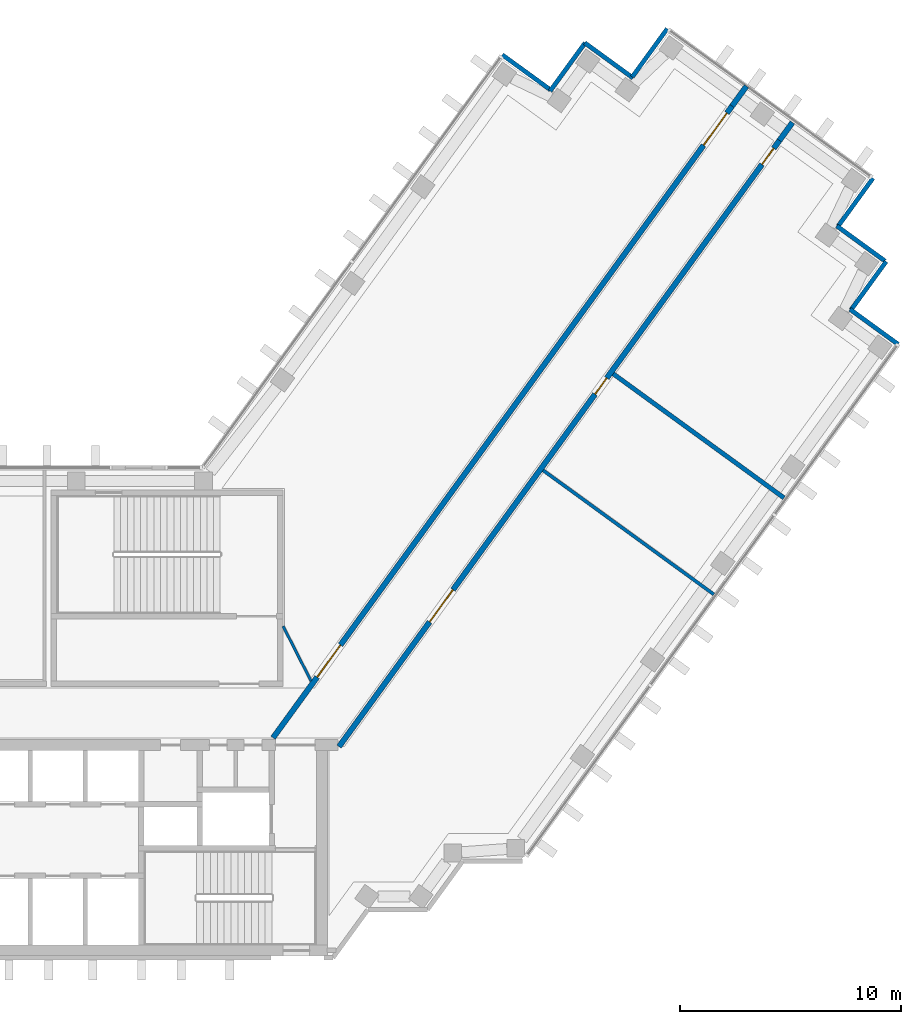
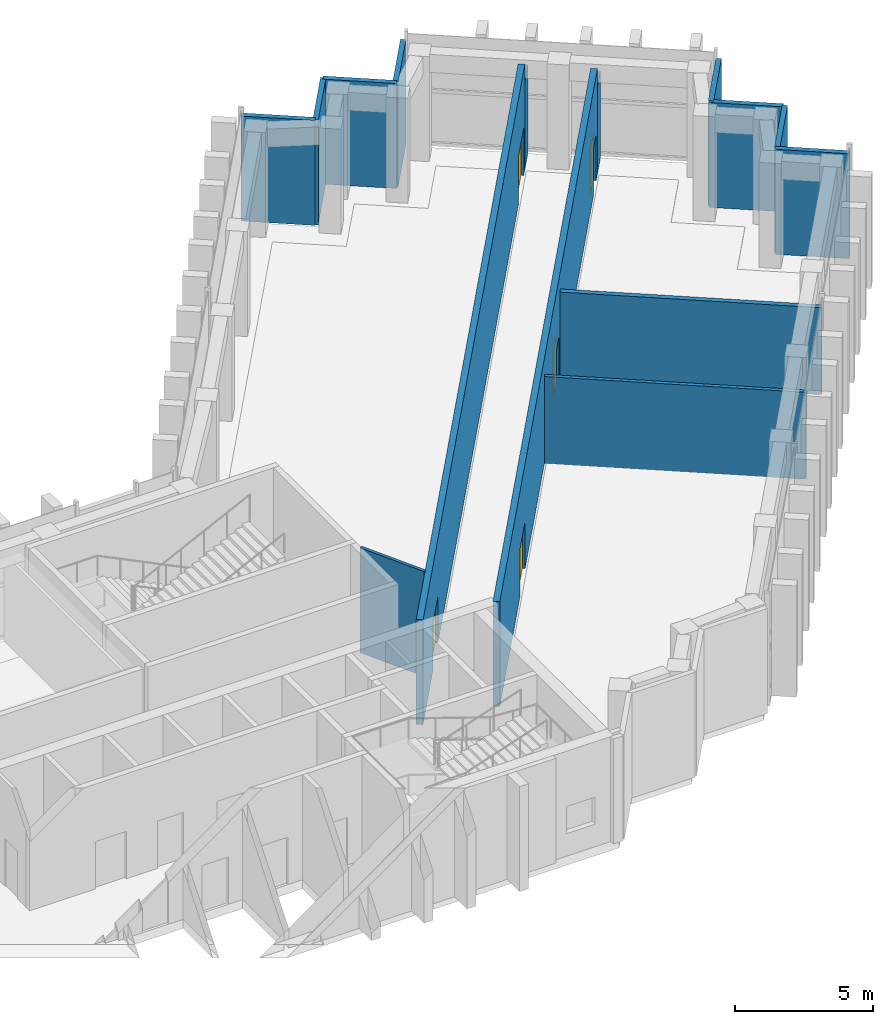
# One storey, part 11 of 14: 15 walls, 5 doors, 5 openings.
"""IFC4 building model written with IfcOpenShell, lengths in metres."""

from ifc_helpers import new_model, si_unit, direction, frame, frame_2d, origin, place, context, subcontext, project, spatial, rectangle, extrude, material, layer, layer_set, type_object, element, fill, save


model = new_model("IFC4")

# Units and contexts
model_context = context("Model", 3, precision=1e-05, world=origin(), true_north=direction((0.0, 1.0)))
body_context = subcontext(model_context, "Body", "Model", "MODEL_VIEW")
ifc_project = project(units=[si_unit("LENGTHUNIT", "METRE"), si_unit("AREAUNIT", "SQUARE_METRE"), si_unit("VOLUMEUNIT", "CUBIC_METRE"), si_unit("PLANEANGLEUNIT", "RADIAN"), si_unit("MASSUNIT", "GRAM", prefix="KILO")], contexts=[model_context])

# Site, building, storey
site_placement = place(None, origin())
site = spatial("IfcSite", under=ifc_project, at=site_placement, CompositionType="ELEMENT")
building_placement = place(site_placement, origin())
building = spatial("IfcBuilding", under=site, at=building_placement, Name="Quipu Civic Tower", CompositionType="ELEMENT")
storey_placement = place(building_placement, frame((0.0, 0.0, 139.0)))
storey = spatial("IfcBuildingStorey", under=building, at=storey_placement, Name="L32", CompositionType="ELEMENT", Elevation=139.0)

# Walls
ifc_material_1 = material(Name="Double gypsum plasterboard with mineral wool")
ifc_layer_1 = layer(ifc_material_1, 0.14990234375)
ifc_layer_set_1 = layer_set([ifc_layer_1], Name="Double gypsum plasterboard with mineral wool")
wall_type_1 = type_object("IfcWallType", Name="Acoustic partition 150 plasterboard", PredefinedType="PARTITIONING", material=ifc_layer_set_1)
wall_1_placement = place(storey_placement, frame((37.495849609375, 5.36669921875, 0.0), z_axis=(0.0, 0.0, 1.0), x_axis=(-0.809048817734, 0.587741448702, 0.0)))
element("IfcWall", 1, at=wall_1_placement, inside=storey, type_object=wall_type_1, Name="Partition P01", PredefinedType="PARTITIONING", context=body_context, shape_type="SweptSolid", body=[
    extrude(rectangle(XDim=9.55029296875, YDim=0.14990234375, at=frame_2d((4.775146484375, 0.0))), origin(), (0.0, 0.0, 1.0), 3.85009765625),
])
ifc_material_2 = material(Name="Fired clay blockwork", Category="masonry")
ifc_layer_2 = layer(ifc_material_2, 0.199951171875)
ifc_layer_set_2 = layer_set([ifc_layer_2], Name="Fired clay blockwork")
wall_type_2 = type_object("IfcWallType", Name="Blockwork wall 200", PredefinedType="SOLIDWALL", material=ifc_layer_set_2)
wall_2_placement = place(storey_placement, frame((40.669921875, 9.7353515625, 0.0), z_axis=(0.0, 0.0, 1.0), x_axis=(-0.809033337127, 0.587762757767, 0.0)))
element("IfcWall", 2, at=wall_2_placement, inside=storey, type_object=wall_type_2, Name="Partition P03", PredefinedType="SOLIDWALL", context=body_context, shape_type="SweptSolid", body=[
    extrude(rectangle(XDim=9.55078125, YDim=0.199951171875, at=frame_2d((4.775390625, 0.0))), origin(), (0.0, 0.0, 1.0), 3.85009765625),
])

# Wall, openings, doors
ifc_material_3 = material(Name="Concrete C50/60", Category="concrete")
ifc_layer_3 = layer(ifc_material_3, 0.25)
ifc_layer_set_3 = layer_set([ifc_layer_3], Name="Concrete C50/60")
wall_type_3 = type_object("IfcWallType", Name="Corridor wall 250 concrete", PredefinedType="SOLIDWALL", material=ifc_layer_set_3)
wall_3_placement = place(storey_placement, frame((40.46337890625, 25.911376953125, 0.0), z_axis=(0.0, 0.0, 1.0), x_axis=(-0.587781654618, -0.809019608226, 0.0)))
wall_3 = element("IfcWall", 3, at=wall_3_placement, inside=storey, type_object=wall_type_3, Name="Corridor wall C01", PredefinedType="SOLIDWALL", context=body_context, shape_type="SweptSolid", body=[
    extrude(rectangle(XDim=33.9111328125, YDim=0.25, at=frame_2d((16.95556640625, 0.0))), origin(), (0.0, 0.0, 1.0), 4.64990234375),
])
opening_1_placement = place(wall_3_placement, frame((25.136962890625, 0.0, 0.0)))
opening_1 = element("IfcOpeningElement", 4, at=opening_1_placement, cuts=wall_3, Name="Opening D003", PredefinedType="OPENING", context=body_context, shape_type="SweptSolid", body=[
    extrude(rectangle(XDim=1.800048828125, YDim=2.10009765625, at=frame_2d((0.89990234375, 1.050048828125))), frame((0.0, 0.135009765625, 0.0), z_axis=(0.0, -1.0, 0.0), x_axis=(1.0, 0.0, 0.0)), (0.0, 0.0, 1.0), 0.27001953125),
])
opening_2_placement = place(wall_3_placement, frame((13.296142578125, 0.0, 0.0)))
opening_2 = element("IfcOpeningElement", 5, at=opening_2_placement, cuts=wall_3, Name="Opening D004", PredefinedType="OPENING", context=body_context, shape_type="SweptSolid", body=[
    extrude(rectangle(XDim=0.89990234375, YDim=2.10009765625, at=frame_2d((0.449951171875, 1.050048828125))), frame((0.0, 0.135009765625, 0.0), z_axis=(0.0, -1.0, 0.0), x_axis=(1.0, 0.0, 0.0)), (0.0, 0.0, 1.0), 0.27001953125),
])
opening_3_placement = place(wall_3_placement, frame((0.44091796875, 0.0, 0.0)))
opening_3 = element("IfcOpeningElement", 6, at=opening_3_placement, cuts=wall_3, Name="Opening D005", PredefinedType="OPENING", context=body_context, shape_type="SweptSolid", body=[
    extrude(rectangle(XDim=0.89990234375, YDim=2.10009765625, at=frame_2d((0.449951171875, 1.050048828125))), frame((0.0, 0.135009765625, 0.0), z_axis=(0.0, -1.0, 0.0), x_axis=(1.0, 0.0, 0.0)), (0.0, 0.0, 1.0), 0.27001953125),
])
ifc_material_4 = material(Name="Fire rated timber door set with metal frame", Category="wood")
door_type_1 = type_object("IfcDoorType", Name="Double door 1800 x 2100 FD60", OperationType="DOUBLE_DOOR_SINGLE_SWING", PredefinedType="DOOR", material=ifc_material_4)
door_1_placement = place(opening_1_placement, origin())
door_1 = element("IfcDoor", 7, at=door_1_placement, inside=storey, type_object=door_type_1, Name="Door D003", OperationType="DOUBLE_DOOR_SINGLE_SWING", OverallHeight=2.10009765625, OverallWidth=1.800048828125, PredefinedType="DOOR", context=body_context, shape_type="SweptSolid", body=[
    extrude(rectangle(XDim=1.800048828125, YDim=2.10009765625, at=frame_2d((0.89990234375, 1.050048828125))), frame((0.0, 0.02490234375, 0.0), z_axis=(0.0, -1.0, 0.0), x_axis=(1.0, 0.0, 0.0)), (0.0, 0.0, 1.0), 0.050048828125),
])
fill(opening_1, door_1)
ifc_material_5 = material(Name="Fire rated timber door set with metal frame", Category="wood")
door_type_2 = type_object("IfcDoorType", Name="Single door 900 x 2100 FD60", OperationType="NOTDEFINED", PredefinedType="DOOR", material=ifc_material_5)
door_2_placement = place(opening_2_placement, origin())
door_2 = element("IfcDoor", 8, at=door_2_placement, inside=storey, type_object=door_type_2, Name="Door D004", OperationType="SINGLE_SWING_LEFT", OverallHeight=2.10009765625, OverallWidth=0.89990234375, PredefinedType="DOOR", context=body_context, shape_type="SweptSolid", body=[
    extrude(rectangle(XDim=0.89990234375, YDim=2.10009765625, at=frame_2d((0.449951171875, 1.050048828125))), frame((0.0, 0.02490234375, 0.0), z_axis=(0.0, -1.0, 0.0), x_axis=(1.0, 0.0, 0.0)), (0.0, 0.0, 1.0), 0.050048828125),
])
fill(opening_2, door_2)
door_3_placement = place(opening_3_placement, origin())
door_3 = element("IfcDoor", 9, at=door_3_placement, inside=storey, type_object=door_type_2, Name="Door D005", OperationType="SINGLE_SWING_LEFT", OverallHeight=2.10009765625, OverallWidth=0.89990234375, PredefinedType="DOOR", context=body_context, shape_type="SweptSolid", body=[
    extrude(rectangle(XDim=0.89990234375, YDim=2.10009765625, at=frame_2d((0.449951171875, 1.050048828125))), frame((0.0, 0.02490234375, 0.0), z_axis=(0.0, -1.0, 0.0), x_axis=(1.0, 0.0, 0.0)), (0.0, 0.0, 1.0), 0.050048828125),
])
fill(opening_3, door_3)

wall_4_placement = place(storey_placement, frame((17.544921875, -1.124755859375, 0.0), z_axis=(0.0, 0.0, 1.0), x_axis=(0.587788021768, 0.809014982226, 0.0)))
wall_4 = element("IfcWall", 10, at=wall_4_placement, inside=storey, type_object=wall_type_3, Name="Corridor wall C05", PredefinedType="SOLIDWALL", context=body_context, shape_type="SweptSolid", body=[
    extrude(rectangle(XDim=35.34423828125, YDim=0.25, at=frame_2d((17.672119140625, 0.0))), origin(), (0.0, 0.0, 1.0), 4.64990234375),
])
opening_4_placement = place(wall_4_placement, frame((33.153076171875, 0.0, 0.0)))
opening_4 = element("IfcOpeningElement", 11, at=opening_4_placement, cuts=wall_4, Name="Opening D001", PredefinedType="OPENING", context=body_context, shape_type="SweptSolid", body=[
    extrude(rectangle(XDim=1.800048828125, YDim=2.10009765625, at=frame_2d((0.89990234375, 1.050048828125))), frame((0.0, 0.135009765625, 0.0), z_axis=(0.0, -1.0, 0.0), x_axis=(1.0, 0.0, 0.0)), (0.0, 0.0, 1.0), 0.27001953125),
])
opening_5_placement = place(wall_4_placement, frame((3.39208984375, 0.0, 0.0)))
opening_5 = element("IfcOpeningElement", 12, at=opening_5_placement, cuts=wall_4, Name="Opening D002", PredefinedType="OPENING", context=body_context, shape_type="SweptSolid", body=[
    extrude(rectangle(XDim=1.800048828125, YDim=2.10009765625, at=frame_2d((0.89990234375, 1.050048828125))), frame((0.0, 0.135009765625, 0.0), z_axis=(0.0, -1.0, 0.0), x_axis=(1.0, 0.0, 0.0)), (0.0, 0.0, 1.0), 0.27001953125),
])
door_4_placement = place(opening_4_placement, origin())
door_4 = element("IfcDoor", 13, at=door_4_placement, inside=storey, type_object=door_type_1, Name="Door D001", OperationType="DOUBLE_DOOR_SINGLE_SWING", OverallHeight=2.10009765625, OverallWidth=1.800048828125, PredefinedType="DOOR", context=body_context, shape_type="SweptSolid", body=[
    extrude(rectangle(XDim=1.800048828125, YDim=2.10009765625, at=frame_2d((0.89990234375, 1.050048828125))), frame((0.0, 0.02490234375, 0.0), z_axis=(0.0, -1.0, 0.0), x_axis=(1.0, 0.0, 0.0)), (0.0, 0.0, 1.0), 0.050048828125),
])
fill(opening_4, door_4)
door_5_placement = place(opening_5_placement, origin())
door_5 = element("IfcDoor", 14, at=door_5_placement, inside=storey, type_object=door_type_1, Name="Door D002", OperationType="DOUBLE_DOOR_SINGLE_SWING", OverallHeight=2.10009765625, OverallWidth=1.800048828125, PredefinedType="DOOR", context=body_context, shape_type="SweptSolid", body=[
    extrude(rectangle(XDim=1.800048828125, YDim=2.10009765625, at=frame_2d((0.89990234375, 1.050048828125))), frame((0.0, 0.02490234375, 0.0), z_axis=(0.0, -1.0, 0.0), x_axis=(1.0, 0.0, 0.0)), (0.0, 0.0, 1.0), 0.050048828125),
])
fill(opening_5, door_5)

# Walls
wall_5_placement = place(storey_placement, frame((40.46337890625, 25.911376953125, 0.0), z_axis=(0.0, 0.0, 1.0), x_axis=(0.587855200732, 0.808966169238, 0.0)))
element("IfcWall", 15, at=wall_5_placement, inside=storey, type_object=wall_type_3, Name="Corridor wall C01", PredefinedType="SOLIDWALL", context=body_context, shape_type="SweptSolid", body=[
    extrude(rectangle(XDim=1.00927734375, YDim=0.25, at=frame_2d((0.504638671875, 0.0))), origin(), (0.0, 0.0, 1.0), 3.85009765625),
])
wall_6_placement = place(storey_placement, frame((38.31982421875, 27.46923828125, 0.0), z_axis=(0.0, 0.0, 1.0), x_axis=(0.587753086208, 0.809040363426, 0.0)))
element("IfcWall", 16, at=wall_6_placement, inside=storey, type_object=wall_type_3, Name="Corridor wall C05", PredefinedType="SOLIDWALL", context=body_context, shape_type="SweptSolid", body=[
    extrude(rectangle(XDim=1.10986328125, YDim=0.25, at=frame_2d((0.554931640625, 0.0))), origin(), (0.0, 0.0, 1.0), 3.85009765625),
])
ifc_material_6 = material(Name="Gypsum plasterboard on light gauge framing")
ifc_layer_4 = layer(ifc_material_6, 0.1201171875)
ifc_layer_set_4 = layer_set([ifc_layer_4], Name="Gypsum plasterboard on light gauge framing")
wall_type_4 = type_object("IfcWallType", Name="Partition 120 plasterboard", PredefinedType="PARTITIONING", material=ifc_layer_set_4)
wall_7_placement = place(storey_placement, frame((18.0, 3.925048828125, 0.0), z_axis=(0.0, 0.0, 1.0), x_axis=(0.453950796792, -0.891026752736, 0.0)))
element("IfcWall", 17, at=wall_7_placement, inside=storey, type_object=wall_type_4, Name="Partition P04", PredefinedType="PARTITIONING", context=body_context, shape_type="SweptSolid", body=[
    extrude(rectangle(XDim=2.77783203125, YDim=0.1201171875, at=frame_2d((1.388916015625, 0.0))), origin(), (0.0, 0.0, 1.0), 4.64990234375),
])
ifc_material_7 = material(Name="Precast concrete C40/50", Category="concrete")
wall_type_5 = type_object("IfcWallType", Name="Precast cladding wall", PredefinedType="SOLIDWALL", material=ifc_material_7)
for number, where, z_axis, x_axis, name in (
    (18, (45.84228515625, 16.6845703125, 0.0), (0.0, 0.0, 1.0), (-0.808958916286, 0.58786518162, 0.0), "Precast cladding wall L32 24"),
    (19, (43.70947265625, 18.249267578125, 0.0), (0.0, 0.0, 1.0), (0.587762999008, 0.809033161865, 0.0), "Precast cladding wall L32 25"),
    (20, (45.2451171875, 20.4560546875, 0.0), (0.0, 0.0, 1.0), (-0.809033161865, 0.587762999008, 0.0), "Precast cladding wall L32 26"),
    (21, (43.112548828125, 22.020263671875, 0.0), (0.0, 0.0, 1.0), (0.587762999008, 0.809033161865, 0.0), "Precast cladding wall L32 27"),
    (22, (35.3876953125, 30.97021484375, 0.0), (0.0, 0.0, 1.0), (-0.587762999008, -0.809033161865, 0.0), "Precast cladding wall L32 29"),
    (23, (33.837890625, 28.743896484375, 0.0), (0.0, 0.0, 1.0), (-0.809033161865, 0.587762999008, 0.0), "Precast cladding wall L32 30"),
    (24, (31.67041015625, 30.33349609375, 0.0), (0.0, 0.0, 1.0), (-0.587762999008, -0.809033161865, 0.0), "Precast cladding wall L32 31"),
    (25, (30.105712890625, 28.2001953125, 0.0), (0.0, 0.0, 1.0), (-0.809033161865, 0.587762999008, 0.0), "Precast cladding wall L32 32"),
):
    element("IfcWall", number, at=place(storey_placement, frame(where, z_axis=z_axis, x_axis=x_axis)), inside=storey, type_object=wall_type_5, Name=name, PredefinedType="SOLIDWALL", context=body_context, shape_type="SweptSolid", body=[
        extrude(rectangle(XDim=2.699951171875, YDim=0.199951171875, at=frame_2d((1.35009765625, 0.0))), origin(), (0.0, 0.0, 1.0), 4.64990234375),
    ])

save(model, "model.ifc")
